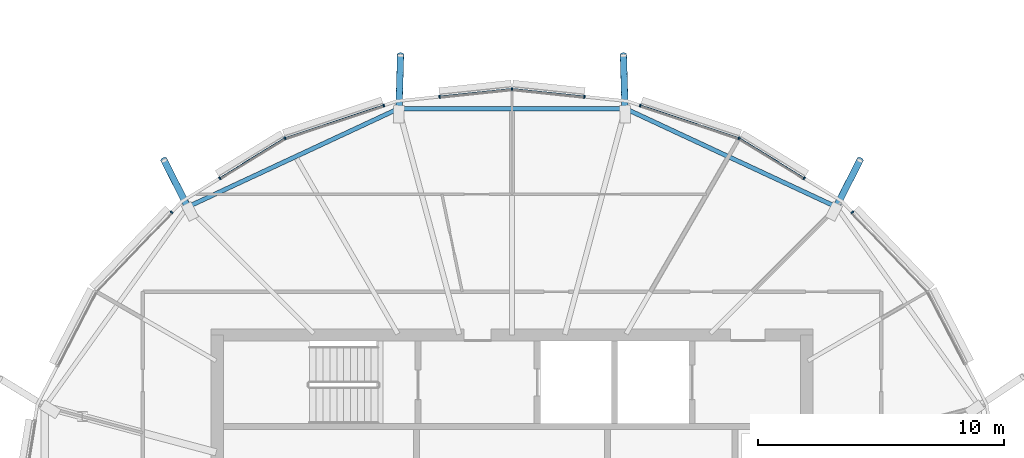
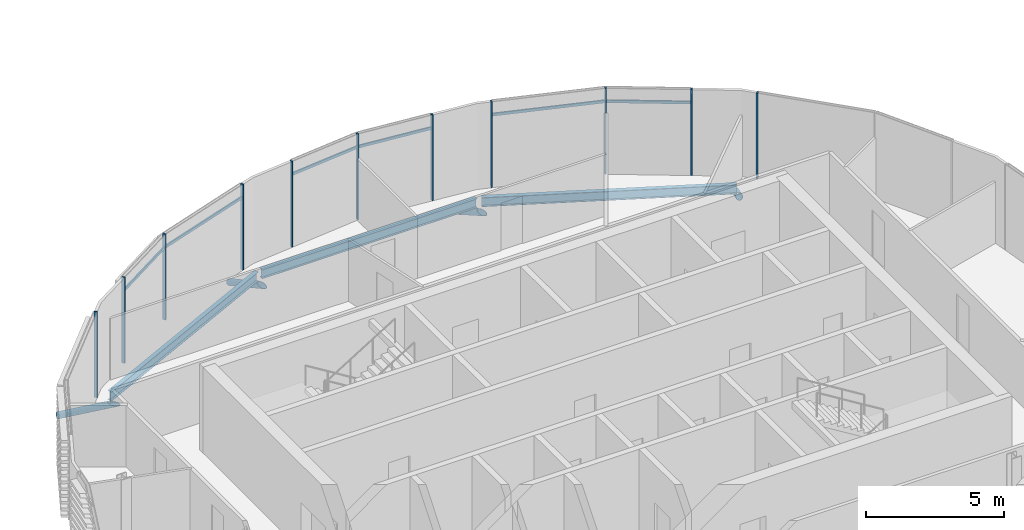
# One storey, part 8 of 36: 21 members, 3 beams, 1 element without a shape of its own.
"""IFC4 building model written with IfcOpenShell, lengths in metres."""

from ifc_helpers import new_model, si_unit, direction, frame, origin, origin_2d, place, context, subcontext, project, spatial, rectangle, hollow_circle, i_section, extrude, clip, halfspace, material, material_profile, profile_set, type_object, element, aggregate, save


model = new_model("IFC4")

# Units and contexts
model_context = context("Model", 3, precision=1e-05, world=origin(), true_north=direction((0.0, 1.0)))
body_context = subcontext(model_context, "Body", "Model", "MODEL_VIEW")
ifc_project = project(units=[si_unit("LENGTHUNIT", "METRE"), si_unit("AREAUNIT", "SQUARE_METRE"), si_unit("VOLUMEUNIT", "CUBIC_METRE"), si_unit("PLANEANGLEUNIT", "RADIAN"), si_unit("MASSUNIT", "GRAM", prefix="KILO")], contexts=[model_context])

# Site, building, storey
site_placement = place(None, origin())
site = spatial("IfcSite", under=ifc_project, at=site_placement, CompositionType="ELEMENT")
building_placement = place(site_placement, origin())
building = spatial("IfcBuilding", under=site, at=building_placement, Name="Rimbun Link Towers", CompositionType="ELEMENT")
storey_placement = place(building_placement, frame((0.0, 0.0, 248.5)))
storey = spatial("IfcBuildingStorey", under=building, at=storey_placement, Name="L61", CompositionType="ELEMENT", Elevation=248.5)

# Curtain wall, members
ifc_material_1 = material(Name="Aluminium 6063-T6 and low-iron glass", Category="aluminium")
curtain_wall_type = type_object("IfcCurtainWallType", Name="CW1-Z4 unitised vision wall (zone 4)", PredefinedType="NOTDEFINED", material=ifc_material_1)
curtain_wall_placement = place(storey_placement, origin())
curtain_wall = element("IfcCurtainWall", 1, at=curtain_wall_placement, inside=storey, type_object=curtain_wall_type, Name="CW1 L61 T1", PredefinedType="NOTDEFINED")
ifc_material_2 = material(Name="Aluminium 6063-T6", Category="aluminium")
ifc_material_profile_1 = material_profile(ifc_material_2, rectangle(XDim=0.1201171875, YDim=0.06005859375, at=origin_2d()), Name="MULLION 60X120")
ifc_profile_set_1 = profile_set([ifc_material_profile_1], Name="Aluminium 6063-T6")
member_type_1 = type_object("IfcMemberType", Name="CW1 mullion 60X120", PredefinedType="MULLION", material=ifc_profile_set_1)
member_1_placement = place(storey_placement, frame((-17.8994140625, 13.00048828125, 0.0), z_axis=(0.0, 0.0, 1.0), x_axis=(0.721858292347, 0.692040898915, 0.0)))
member_1 = element("IfcMember", 2, at=member_1_placement, type_object=member_type_1, Name="CW1 mullion", PredefinedType="MULLION", context=body_context, shape_type="SweptSolid", body=[
    extrude(rectangle(XDim=0.1201171875, YDim=0.06005859375, at=origin_2d()), origin(), (0.0, 0.0, 1.0), 3.800048828125),
])
member_2_placement = place(storey_placement, frame((-22.511474609375, 16.01220703125, 0.0), z_axis=(0.0, 0.0, 1.0), x_axis=(0.421699968812, 0.906735427953, 0.0)))
member_2 = element("IfcMember", 3, at=member_2_placement, type_object=member_type_1, Name="CW1 mullion", PredefinedType="MULLION", context=body_context, shape_type="SweptSolid", body=[
    extrude(rectangle(XDim=0.1201171875, YDim=0.06005859375, at=origin_2d()), origin(), (0.0, 0.0, 1.0), 3.800048828125),
])
member_3_placement = place(storey_placement, frame((-19.8603515625, 14.385009765625, 0.0), z_axis=(0.0, 0.0, 1.0), x_axis=(0.523228997113, 0.852192124219, 0.0)))
member_3 = element("IfcMember", 4, at=member_3_placement, type_object=member_type_1, Name="CW1 mullion", PredefinedType="MULLION", context=body_context, shape_type="SweptSolid", body=[
    extrude(rectangle(XDim=0.1201171875, YDim=0.06005859375, at=origin_2d()), origin(), (0.0, 0.0, 1.0), 3.800048828125),
])
member_4_placement = place(storey_placement, frame((-26.530517578125, 17.344482421875, 0.0), z_axis=(0.0, 0.0, 1.0), x_axis=(0.314569451089, 0.949234460205, 0.0)))
member_4 = element("IfcMember", 5, at=member_4_placement, type_object=member_type_1, Name="CW1 mullion", PredefinedType="MULLION", context=body_context, shape_type="SweptSolid", body=[
    extrude(rectangle(XDim=0.1201171875, YDim=0.06005859375, at=origin_2d()), origin(), (0.0, 0.0, 1.0), 3.800048828125),
])
member_5_placement = place(storey_placement, frame((-31.75, 18.01318359375, 0.0), z_axis=(0.0, 0.0, 1.0), x_axis=(0.0, 1.0, 0.0)))
member_5 = element("IfcMember", 6, at=member_5_placement, type_object=member_type_1, Name="CW1 mullion", PredefinedType="MULLION", context=body_context, shape_type="SweptSolid", body=[
    extrude(rectangle(XDim=0.1201171875, YDim=0.06005859375, at=origin_2d()), origin(), (0.0, 0.0, 1.0), 3.800048828125),
])
member_6_placement = place(storey_placement, frame((-28.8056640625, 17.70361328125, 0.0), z_axis=(0.0, 0.0, 1.0), x_axis=(0.10473236474, 0.994500443326, 0.0)))
member_6 = element("IfcMember", 7, at=member_6_placement, type_object=member_type_1, Name="CW1 mullion", PredefinedType="MULLION", context=body_context, shape_type="SweptSolid", body=[
    extrude(rectangle(XDim=0.1201171875, YDim=0.06005859375, at=origin_2d()), origin(), (0.0, 0.0, 1.0), 3.800048828125),
])
member_7_placement = place(storey_placement, frame((-34.6943359375, 17.70361328125, 0.0), z_axis=(0.0, 0.0, 1.0), x_axis=(-0.10473236474, 0.994500443326, 0.0)))
member_7 = element("IfcMember", 8, at=member_7_placement, type_object=member_type_1, Name="CW1 mullion", PredefinedType="MULLION", context=body_context, shape_type="SweptSolid", body=[
    extrude(rectangle(XDim=0.1201171875, YDim=0.06005859375, at=origin_2d()), origin(), (0.0, 0.0, 1.0), 3.800048828125),
])
member_8_placement = place(storey_placement, frame((-40.988525390625, 16.01220703125, 0.0), z_axis=(0.0, 0.0, 1.0), x_axis=(-0.421699968812, 0.906735427953, 0.0)))
member_8 = element("IfcMember", 9, at=member_8_placement, type_object=member_type_1, Name="CW1 mullion", PredefinedType="MULLION", context=body_context, shape_type="SweptSolid", body=[
    extrude(rectangle(XDim=0.1201171875, YDim=0.06005859375, at=origin_2d()), origin(), (0.0, 0.0, 1.0), 3.800048828125),
])
member_9_placement = place(storey_placement, frame((-36.969482421875, 17.344482421875, 0.0), z_axis=(0.0, 0.0, 1.0), x_axis=(-0.314569451089, 0.949234460205, 0.0)))
member_9 = element("IfcMember", 10, at=member_9_placement, type_object=member_type_1, Name="CW1 mullion", PredefinedType="MULLION", context=body_context, shape_type="SweptSolid", body=[
    extrude(rectangle(XDim=0.1201171875, YDim=0.06005859375, at=origin_2d()), origin(), (0.0, 0.0, 1.0), 3.800048828125),
])
member_10_placement = place(storey_placement, frame((-43.6396484375, 14.385009765625, 0.0), z_axis=(0.0, 0.0, 1.0), x_axis=(-0.523228997113, 0.852192124219, 0.0)))
member_10 = element("IfcMember", 11, at=member_10_placement, type_object=member_type_1, Name="CW1 mullion", PredefinedType="MULLION", context=body_context, shape_type="SweptSolid", body=[
    extrude(rectangle(XDim=0.1201171875, YDim=0.06005859375, at=origin_2d()), origin(), (0.0, 0.0, 1.0), 3.800048828125),
])
member_11_placement = place(storey_placement, frame((-45.6005859375, 13.00048828125, 0.0), z_axis=(0.0, 0.0, 1.0), x_axis=(-0.721858292347, 0.692040898915, 0.0)))
member_11 = element("IfcMember", 12, at=member_11_placement, type_object=member_type_1, Name="CW1 mullion", PredefinedType="MULLION", context=body_context, shape_type="SweptSolid", body=[
    extrude(rectangle(XDim=0.1201171875, YDim=0.06005859375, at=origin_2d()), origin(), (0.0, 0.0, 1.0), 3.800048828125),
])
ifc_material_3 = material(Name="Aluminium 6063-T6", Category="aluminium")
ifc_material_profile_2 = material_profile(ifc_material_3, rectangle(XDim=0.06005859375, YDim=0.1201171875, at=origin_2d()), Name="TRANSOM 60X120")
ifc_profile_set_2 = profile_set([ifc_material_profile_2], Name="Aluminium 6063-T6")
member_type_2 = type_object("IfcMemberType", Name="CW1 transom 60X120", PredefinedType="USERDEFINED", material=ifc_profile_set_2)
member_12_placement = place(storey_placement, frame((-22.480712890625, 15.991455078125, 3.199951171875), z_axis=(0.852189422972, -0.523233396654, 0.0), x_axis=(0.523233396654, 0.852189422972, 0.0)))
member_12 = element("IfcMember", 13, at=member_12_placement, type_object=member_type_2, Name="CW1 transom", ObjectType="TRANSOM", PredefinedType="USERDEFINED", context=body_context, shape_type="SweptSolid", body=[
    extrude(rectangle(XDim=0.06005859375, YDim=0.1201171875, at=origin_2d()), origin(), (0.0, 0.0, 1.0), 3.043701171875),
])
member_13_placement = place(storey_placement, frame((-26.502685546875, 17.333251953125, 3.199951171875), z_axis=(0.949226715592, -0.314592820017, 0.0), x_axis=(0.314592820017, 0.949226715592, 0.0)))
member_13 = element("IfcMember", 14, at=member_13_placement, type_object=member_type_2, Name="CW1 transom", ObjectType="TRANSOM", PredefinedType="USERDEFINED", context=body_context, shape_type="SweptSolid", body=[
    extrude(rectangle(XDim=0.06005859375, YDim=0.1201171875, at=origin_2d()), origin(), (0.0, 0.0, 1.0), 4.16748046875),
])
member_14_placement = place(storey_placement, frame((-31.714111328125, 18.0078125, 3.199951171875), z_axis=(0.99449713024, -0.104763819827, 0.0), x_axis=(0.104763819827, 0.99449713024, 0.0)))
member_14 = element("IfcMember", 15, at=member_14_placement, type_object=member_type_2, Name="CW1 transom", ObjectType="TRANSOM", PredefinedType="USERDEFINED", context=body_context, shape_type="SweptSolid", body=[
    extrude(rectangle(XDim=0.06005859375, YDim=0.1201171875, at=origin_2d()), origin(), (0.0, 0.0, 1.0), 2.894287109375),
])
member_15_placement = place(storey_placement, frame((-34.664306640625, 17.70458984375, 3.199951171875), z_axis=(0.99449713024, 0.104763819827, 0.0), x_axis=(-0.104763819827, 0.99449713024, 0.0)))
member_15 = element("IfcMember", 16, at=member_15_placement, type_object=member_type_2, Name="CW1 transom", ObjectType="TRANSOM", PredefinedType="USERDEFINED", context=body_context, shape_type="SweptSolid", body=[
    extrude(rectangle(XDim=0.06005859375, YDim=0.1201171875, at=origin_2d()), origin(), (0.0, 0.0, 1.0), 2.894287109375),
])
member_16_placement = place(storey_placement, frame((-40.953125, 16.022216796875, 3.199951171875), z_axis=(0.949226715592, 0.314592820017, 0.0), x_axis=(-0.314592820017, 0.949226715592, 0.0)))
member_16 = element("IfcMember", 17, at=member_16_placement, type_object=member_type_2, Name="CW1 transom", ObjectType="TRANSOM", PredefinedType="USERDEFINED", context=body_context, shape_type="SweptSolid", body=[
    extrude(rectangle(XDim=0.06005859375, YDim=0.1201171875, at=origin_2d()), origin(), (0.0, 0.0, 1.0), 4.16748046875),
])
member_17_placement = place(storey_placement, frame((-43.613037109375, 14.39892578125, 3.199951171875), z_axis=(0.852189422972, 0.523233396654, 0.0), x_axis=(-0.523233396654, 0.852189422972, 0.0)))
member_17 = element("IfcMember", 18, at=member_17_placement, type_object=member_type_2, Name="CW1 transom", ObjectType="TRANSOM", PredefinedType="USERDEFINED", context=body_context, shape_type="SweptSolid", body=[
    extrude(rectangle(XDim=0.06005859375, YDim=0.1201171875, at=origin_2d()), origin(), (0.0, 0.0, 1.0), 3.043701171875),
])
aggregate(curtain_wall, [member_1, member_2, member_3, member_4, member_5, member_6, member_7, member_8, member_9, member_10, member_11, member_12, member_13, member_14, member_15, member_16, member_17])

# Members
ifc_material_4 = material(Name="Steel S355J2H", Category="steel")
ifc_material_profile_3 = material_profile(ifc_material_4, hollow_circle(Radius=0.136474609375, WallThickness=0.012451171875, at=origin_2d()), Name="CHS 273x12.5")
ifc_profile_set_3 = profile_set([ifc_material_profile_3], Name="Steel S355J2H")
member_type_3 = type_object("IfcMemberType", Name="Floor edge link CHS 273x12.5", PredefinedType="BRACE", material=ifc_profile_set_3)
member_18_placement = place(storey_placement, frame((-18.574951171875, 13.175048828125, -0.6630859375), z_axis=(0.387876907246, 0.76562623297, -0.513193897288), x_axis=(-0.89205474546, 0.451927351576, 0.0)))
element("IfcMember", 19, at=member_18_placement, inside=storey, type_object=member_type_3, Name="Floor edge link T1 L61 03", PredefinedType="BRACE", context=body_context, shape_type="Clipping", body=[
    clip(extrude(hollow_circle(Radius=0.136474609375, WallThickness=0.012451171875, at=origin_2d()), frame((0.0, 0.0, -0.47607421875)), (0.0, 0.0, 1.0), 3.055419921875), halfspace(frame((0.0, 0.0, -0.223388671875), z_axis=(0.0, 0.858272697798, -0.513193897288)), False)),
])
for number, where, z_axis, x_axis, name in (
    (20, (-27.14990234375, 17.167724609375, -0.791748046875), (-0.025823992191, 0.871606860514, -0.489524873865), (-0.99956137874, -0.029615032199, 0.0), "Floor edge link T1 L61 05"),
    (21, (-36.35009765625, 17.167724609375, -0.791748046875), (0.025823992191, 0.871606860514, -0.489524873865), (-0.99956137874, 0.029615032199, 0.0), "Floor edge link T1 L61 07"),
):
    element("IfcMember", number, at=place(storey_placement, frame(where, z_axis=z_axis, x_axis=x_axis)), inside=storey, type_object=member_type_3, Name=name, PredefinedType="BRACE", context=body_context, shape_type="Clipping", body=[
        clip(extrude(hollow_circle(Radius=0.136474609375, WallThickness=0.012451171875, at=origin_2d()), frame((0.0, 0.0, -0.506591796875)), (0.0, 0.0, 1.0), 3.09716796875), halfspace(frame((0.0, 0.0, -0.23828125), z_axis=(0.0, 0.871989333574, -0.489524873865)), False)),
    ])
member_19_placement = place(storey_placement, frame((-44.925048828125, 13.175048828125, -0.6630859375), z_axis=(-0.387876907246, 0.76562623297, -0.513193897288), x_axis=(-0.89205474546, -0.451927351576, 0.0)))
element("IfcMember", 22, at=member_19_placement, inside=storey, type_object=member_type_3, Name="Floor edge link T1 L61 09", PredefinedType="BRACE", context=body_context, shape_type="Clipping", body=[
    clip(extrude(hollow_circle(Radius=0.136474609375, WallThickness=0.012451171875, at=origin_2d()), frame((0.0, 0.0, -0.47607421875)), (0.0, 0.0, 1.0), 3.055419921875), halfspace(frame((0.0, 0.0, -0.223388671875), z_axis=(0.0, 0.858272697798, -0.513193897288)), False)),
])

# Beams
ifc_material_5 = material(Name="Steel S355J2", Category="steel")
ifc_material_profile_4 = material_profile(ifc_material_5, i_section(OverallWidth=0.177978515625, OverallDepth=0.406494140625, WebThickness=0.0078125, FlangeThickness=0.0126953125, at=origin_2d()), Name="UB 406x178x60")
ifc_profile_set_4 = profile_set([ifc_material_profile_4], Name="Steel S355J2")
beam_type = type_object("IfcBeamType", Name="UB 406x178x60", PredefinedType="BEAM", material=ifc_profile_set_4)
beam_1_placement = place(storey_placement, frame((-18.62646484375, 13.250732421875, -0.34326171875), z_axis=(-0.906432957626, 0.422349728696, 0.0), x_axis=(-0.422349728696, -0.906432957626, 0.0)))
element("IfcBeam", 23, at=beam_1_placement, inside=storey, type_object=beam_type, Name="Edge beam T1 L61 03-05", PredefinedType="BEAM", context=body_context, shape_type="SweptSolid", body=[
    extrude(i_section(OverallWidth=0.177978515625, OverallDepth=0.406494140625, WebThickness=0.0078125, FlangeThickness=0.0126953125, at=origin_2d()), origin(), (0.0, 0.0, 1.0), 9.28173828125),
])
beam_2_placement = place(storey_placement, frame((-27.246337890625, 17.216064453125, -0.34326171875), z_axis=(-1.0, 0.0, 0.0), x_axis=(0.0, -1.0, 0.0)))
element("IfcBeam", 24, at=beam_2_placement, inside=storey, type_object=beam_type, Name="Edge beam T1 L61 05-07", PredefinedType="BEAM", context=body_context, shape_type="SweptSolid", body=[
    extrude(i_section(OverallWidth=0.177978515625, OverallDepth=0.406494140625, WebThickness=0.0078125, FlangeThickness=0.0126953125, at=origin_2d()), origin(), (0.0, 0.0, 1.0), 9.00732421875),
])
beam_3_placement = place(storey_placement, frame((-36.460205078125, 17.1708984375, -0.34326171875), z_axis=(-0.906432957626, -0.422349728696, 0.0), x_axis=(0.422349728696, -0.906432957626, 0.0)))
element("IfcBeam", 25, at=beam_3_placement, inside=storey, type_object=beam_type, Name="Edge beam T1 L61 07-09", PredefinedType="BEAM", context=body_context, shape_type="SweptSolid", body=[
    extrude(i_section(OverallWidth=0.177978515625, OverallDepth=0.406494140625, WebThickness=0.0078125, FlangeThickness=0.0126953125, at=origin_2d()), origin(), (0.0, 0.0, 1.0), 9.28173828125),
])

save(model, "model.ifc")
